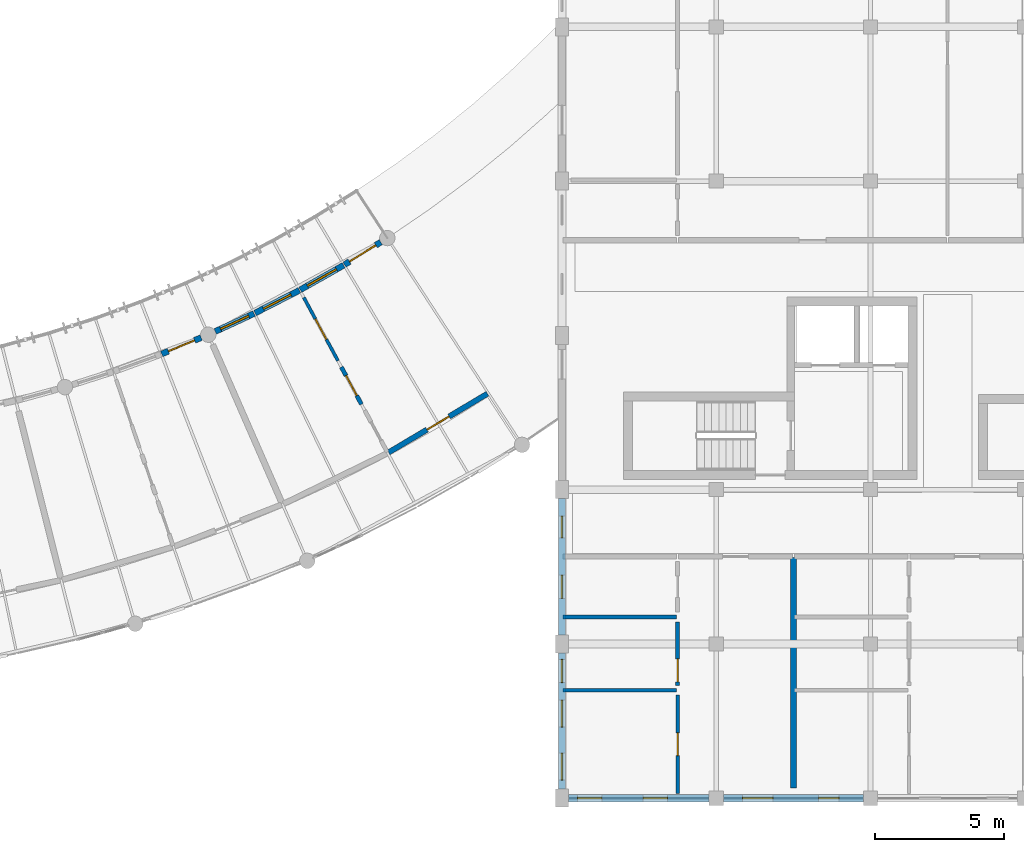
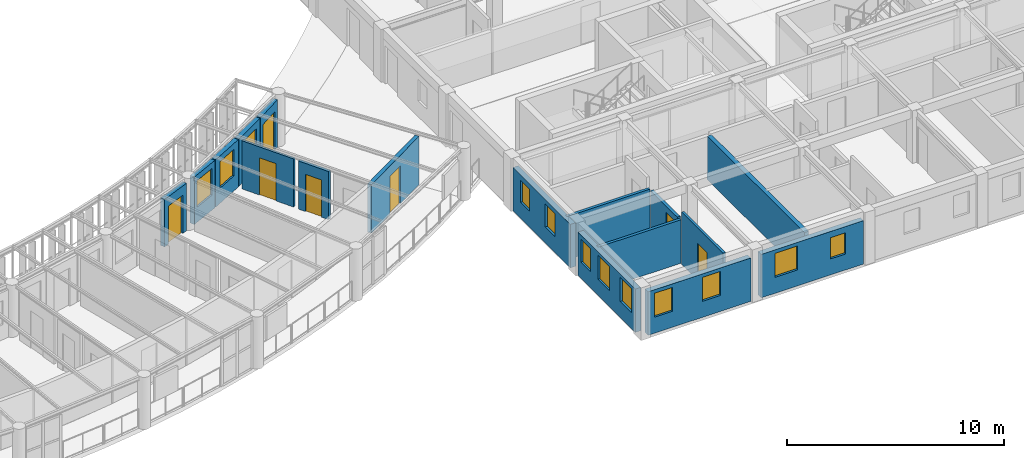
# One storey, part 63 of 101: 17 walls, 12 windows, 7 doors, 19 openings.
"""IFC4 building model written with IfcOpenShell, lengths in metres."""

from ifc_helpers import new_model, si_unit, direction, frame, frame_2d, origin, place, context, subcontext, project, spatial, rectangle, extrude, material, layer, layer_set, type_object, element, fill, save


model = new_model("IFC4")

# Units and contexts
model_context = context("Model", 3, precision=1e-05, world=origin(), true_north=direction((0.0, 1.0)))
body_context = subcontext(model_context, "Body", "Model", "MODEL_VIEW")
ifc_project = project(units=[si_unit("LENGTHUNIT", "METRE"), si_unit("AREAUNIT", "SQUARE_METRE"), si_unit("VOLUMEUNIT", "CUBIC_METRE"), si_unit("PLANEANGLEUNIT", "RADIAN"), si_unit("MASSUNIT", "GRAM", prefix="KILO"), si_unit("POWERUNIT", "WATT"), si_unit("THERMODYNAMICTEMPERATUREUNIT", "KELVIN")], contexts=[model_context])

# Site, building, storey
site_placement = place(None, origin())
site = spatial("IfcSite", under=ifc_project, at=site_placement, CompositionType="ELEMENT")
building_placement = place(site_placement, origin())
building = spatial("IfcBuilding", under=site, at=building_placement, Name="Ruvembo Vaulted Housing Court", CompositionType="ELEMENT")
storey_placement = place(building_placement, frame((0.0, 0.0, 17.300048828125)))
storey = spatial("IfcBuildingStorey", under=building, at=storey_placement, Name="L05", CompositionType="ELEMENT", Elevation=17.300048828125)

# Wall, opening, door
ifc_material_1 = material(Name="Concrete Blockwork 210", Category="masonry")
ifc_layer_1 = layer(ifc_material_1, 0.2099609375, Name="Concrete Blockwork 210")
ifc_layer_set_1 = layer_set([ifc_layer_1], Name="Concrete Blockwork 210")
wall_type_1 = type_object("IfcWallType", Name="WL-CORR-210", PredefinedType="SOLIDWALL", material=ifc_layer_set_1)
wall_1_placement = place(storey_placement, frame((95.258056640625, 13.447265625, 0.0), z_axis=(0.0, 0.0, 1.0), x_axis=(0.859614290038, 0.510943511909, 0.0)))
wall_1 = element("IfcWall", 1, at=wall_1_placement, inside=storey, type_object=wall_type_1, Name="L05 Suite SC2-L05-U7 Entrance WL-INT-L05-01644", PredefinedType="SOLIDWALL", context=body_context, shape_type="SweptSolid", body=[
    extrude(rectangle(XDim=4.472900390625, YDim=0.2099609375, at=frame_2d((2.236328125, 0.0))), origin(), (0.0, 0.0, 1.0), 2.73388671875),
])
opening_1_placement = place(wall_1_placement, frame((1.736572265625, 0.0, 0.0)))
opening_1 = element("IfcOpeningElement", 2, at=opening_1_placement, cuts=wall_1, Name="Opening FD1", PredefinedType="OPENING", context=body_context, shape_type="SweptSolid", body=[
    extrude(rectangle(XDim=1.0, YDim=2.14990234375, at=frame_2d((0.5, 1.074951171875))), frame((0.0, 0.114990234375, 0.0), z_axis=(0.0, -1.0, 0.0), x_axis=(1.0, 0.0, 0.0)), (0.0, 0.0, 1.0), 0.22998046875),
])
ifc_material_2 = material(Name="FSC Hardwood and Engineered Timber", Category="wood")
door_type_1 = type_object("IfcDoorType", Name="DR-FLAT-1000x2150", OperationType="NOTDEFINED", PredefinedType="DOOR", material=ifc_material_2)
door_1_placement = place(opening_1_placement, origin())
door_1 = element("IfcDoor", 3, at=door_1_placement, inside=storey, type_object=door_type_1, Name="L05 Suite SC2-L05-U7 Entrance Door DR-INT-L05-00927", OperationType="SINGLE_SWING_LEFT", OverallHeight=2.14990234375, OverallWidth=1.0, PredefinedType="DOOR", context=body_context, shape_type="SweptSolid", body=[
    extrude(rectangle(XDim=1.0, YDim=2.14990234375, at=frame_2d((0.5, 1.074951171875))), frame((0.0, 0.02490234375, 0.0), z_axis=(0.0, -1.0, 0.0), x_axis=(1.0, 0.0, 0.0)), (0.0, 0.0, 1.0), 0.050048828125),
])
fill(opening_1, door_1)

# Wall
ifc_material_3 = material(Name="Acoustic Masonry Demising 230", Category="masonry")
ifc_layer_2 = layer(ifc_material_3, 0.22998046875, Name="Acoustic Masonry Demising 230")
ifc_layer_set_2 = layer_set([ifc_layer_2], Name="Acoustic Masonry Demising 230")
wall_type_2 = type_object("IfcWallType", Name="WL-DEM-230", PredefinedType="SOLIDWALL", material=ifc_layer_set_2)
wall_2_placement = place(storey_placement, frame((111.0, 0.389892578125, 0.0), z_axis=(0.0, 0.0, 1.0), x_axis=(0.0, 1.0, 0.0)))
element("IfcWall", 4, at=wall_2_placement, inside=storey, type_object=wall_type_2, Name="L05 Demising C-L05-S1 WL-INT-L05-01484", PredefinedType="SOLIDWALL", context=body_context, shape_type="SweptSolid", body=[
    extrude(rectangle(XDim=8.97021484375, YDim=0.22998046875, at=frame_2d((4.485107421875, 0.0))), origin(), (0.0, 0.0, 1.0), 2.447021484375),
])

# Wall, opening, door
ifc_material_4 = material(Name="Rendered Masonry 235", Category="masonry")
ifc_layer_3 = layer(ifc_material_4, 0.235107421875, Name="Rendered Masonry 235")
ifc_layer_set_3 = layer_set([ifc_layer_3], Name="Rendered Masonry 235")
wall_type_3 = type_object("IfcWallType", Name="WL-EXT-235", PredefinedType="STANDARD", material=ifc_layer_set_3)
wall_3_placement = place(storey_placement, frame((86.433349609375, 17.278076171875, 0.0), z_axis=(0.0, 0.0, 1.0), x_axis=(0.924165494985, 0.38199232699, 0.0)))
wall_3 = element("IfcWall", 5, at=wall_3_placement, inside=storey, type_object=wall_type_3, Name="Scoop SC2 L05 Concave Balcony Wall 23", PredefinedType="STANDARD", context=body_context, shape_type="SweptSolid", body=[
    extrude(rectangle(XDim=1.659912109375, YDim=0.235107421875, at=frame_2d((0.830078125, 0.0))), origin(), (0.0, 0.0, 1.0), 2.676025390625),
])
opening_2_placement = place(wall_3_placement, frame((0.280029296875, 0.0, 0.0)))
opening_2 = element("IfcOpeningElement", 6, at=opening_2_placement, cuts=wall_3, Name="Opening BD3", PredefinedType="OPENING", context=body_context, shape_type="SweptSolid", body=[
    extrude(rectangle(XDim=1.10009765625, YDim=2.14990234375, at=frame_2d((0.550048828125, 1.074951171875))), frame((0.0, 0.12744140625, 0.0), z_axis=(0.0, -1.0, 0.0), x_axis=(1.0, 0.0, 0.0)), (0.0, 0.0, 1.0), 0.255126953125),
])
ifc_material_5 = material(Name="Thermally Broken Glazed Aluminium", Category="aluminium")
door_type_2 = type_object("IfcDoorType", Name="DR-BAL-1100x2150", OperationType="NOTDEFINED", PredefinedType="DOOR", material=ifc_material_5)
door_2_placement = place(opening_2_placement, origin())
door_2 = element("IfcDoor", 7, at=door_2_placement, inside=storey, type_object=door_type_2, Name="Scoop SC2 L05 Balcony Door 23", OperationType="SINGLE_SWING_LEFT", OverallHeight=2.14990234375, OverallWidth=1.10009765625, PredefinedType="DOOR", context=body_context, shape_type="SweptSolid", body=[
    extrude(rectangle(XDim=1.10009765625, YDim=2.14990234375, at=frame_2d((0.550048828125, 1.074951171875))), frame((0.0, 0.02490234375, 0.0), z_axis=(0.0, -1.0, 0.0), x_axis=(1.0, 0.0, 0.0)), (0.0, 0.0, 1.0), 0.050048828125),
])
fill(opening_2, door_2)

# Wall, opening, window
wall_4_placement = place(storey_placement, frame((88.51708984375, 18.152587890625, 0.0), z_axis=(0.0, 0.0, 1.0), x_axis=(0.907575902742, 0.419888057418, 0.0)))
wall_4 = element("IfcWall", 8, at=wall_4_placement, inside=storey, type_object=wall_type_3, Name="Scoop SC2 L05 Concave Balcony Wall 24", PredefinedType="STANDARD", context=body_context, shape_type="SweptSolid", body=[
    extrude(rectangle(XDim=1.659912109375, YDim=0.235107421875, at=frame_2d((0.830078125, 0.0))), origin(), (0.0, 0.0, 1.0), 2.676025390625),
])
opening_3_placement = place(wall_4_placement, frame((0.22998046875, 0.0, 0.85009765625)))
opening_3 = element("IfcOpeningElement", 9, at=opening_3_placement, cuts=wall_4, Name="Opening W14", PredefinedType="OPENING", context=body_context, shape_type="SweptSolid", body=[
    extrude(rectangle(XDim=1.199951171875, YDim=1.5, at=frame_2d((0.60009765625, 0.75))), frame((0.0, 0.12744140625, 0.0), z_axis=(0.0, -1.0, 0.0), x_axis=(1.0, 0.0, 0.0)), (0.0, 0.0, 1.0), 0.255126953125),
])
ifc_material_6 = material(Name="Double Solar-Control Glazing in Aluminium Frame", Category="aluminium")
window_type_1 = type_object("IfcWindowType", Name="WIN-1200x1500", PartitioningType="SINGLE_PANEL", PredefinedType="WINDOW", material=ifc_material_6)
window_1_placement = place(opening_3_placement, origin())
window_1 = element("IfcWindow", 10, at=window_1_placement, inside=storey, type_object=window_type_1, Name="Scoop SC2 L05 Concave Window 24", OverallHeight=1.5, OverallWidth=1.199951171875, PartitioningType="SINGLE_PANEL", PredefinedType="WINDOW", context=body_context, shape_type="SweptSolid", body=[
    extrude(rectangle(XDim=1.199951171875, YDim=1.5, at=frame_2d((0.60009765625, 0.75))), frame((0.0, 0.030029296875, 0.0), z_axis=(0.0, -1.0, 0.0), x_axis=(1.0, 0.0, 0.0)), (0.0, 0.0, 1.0), 0.06005859375),
])
fill(opening_3, window_1)

wall_5_placement = place(storey_placement, frame((90.0595703125, 18.866943359375, 0.0), z_axis=(0.0, 0.0, 1.0), x_axis=(0.889517261343, 0.456901566832, 0.0)))
wall_5 = element("IfcWall", 11, at=wall_5_placement, inside=storey, type_object=wall_type_3, Name="Scoop SC2 L05 Concave Balcony Wall 25", PredefinedType="STANDARD", context=body_context, shape_type="SweptSolid", body=[
    extrude(rectangle(XDim=1.940185546875, YDim=0.235107421875, at=frame_2d((0.97021484375, 0.0))), origin(), (0.0, 0.0, 1.0), 2.676025390625),
])
opening_4_placement = place(wall_5_placement, frame((0.3701171875, 0.0, 0.85009765625)))
opening_4 = element("IfcOpeningElement", 12, at=opening_4_placement, cuts=wall_5, Name="Opening W14", PredefinedType="OPENING", context=body_context, shape_type="SweptSolid", body=[
    extrude(rectangle(XDim=1.199951171875, YDim=1.5, at=frame_2d((0.60009765625, 0.75))), frame((0.0, 0.12744140625, 0.0), z_axis=(0.0, -1.0, 0.0), x_axis=(1.0, 0.0, 0.0)), (0.0, 0.0, 1.0), 0.255126953125),
])
window_2_placement = place(opening_4_placement, origin())
window_2 = element("IfcWindow", 13, at=window_2_placement, inside=storey, type_object=window_type_1, Name="Scoop SC2 L05 Concave Window 25", OverallHeight=1.5, OverallWidth=1.199951171875, PartitioningType="SINGLE_PANEL", PredefinedType="WINDOW", context=body_context, shape_type="SweptSolid", body=[
    extrude(rectangle(XDim=1.199951171875, YDim=1.5, at=frame_2d((0.60009765625, 0.75))), frame((0.0, 0.030029296875, 0.0), z_axis=(0.0, -1.0, 0.0), x_axis=(1.0, 0.0, 0.0)), (0.0, 0.0, 1.0), 0.06005859375),
])
fill(opening_4, window_2)

wall_6_placement = place(storey_placement, frame((91.820556640625, 19.772216796875, 0.0), z_axis=(0.0, 0.0, 1.0), x_axis=(0.86993400964, 0.493168144623, 0.0)))
wall_6 = element("IfcWall", 14, at=wall_6_placement, inside=storey, type_object=wall_type_3, Name="Scoop SC2 L05 Concave Balcony Wall 26", PredefinedType="STANDARD", context=body_context, shape_type="SweptSolid", body=[
    extrude(rectangle(XDim=1.940185546875, YDim=0.235107421875, at=frame_2d((0.97021484375, 0.0))), origin(), (0.0, 0.0, 1.0), 2.676025390625),
])
opening_5_placement = place(wall_6_placement, frame((0.320068359375, 0.0, 0.85009765625)))
opening_5 = element("IfcOpeningElement", 15, at=opening_5_placement, cuts=wall_6, Name="Opening W15", PredefinedType="OPENING", context=body_context, shape_type="SweptSolid", body=[
    extrude(rectangle(XDim=1.300048828125, YDim=1.449951171875, at=frame_2d((0.64990234375, 0.72509765625))), frame((0.0, 0.12744140625, 0.0), z_axis=(0.0, -1.0, 0.0), x_axis=(1.0, 0.0, 0.0)), (0.0, 0.0, 1.0), 0.255126953125),
])
window_type_2 = type_object("IfcWindowType", Name="WIN-1300x1450", PartitioningType="SINGLE_PANEL", PredefinedType="WINDOW", material=ifc_material_6)
window_3_placement = place(opening_5_placement, origin())
window_3 = element("IfcWindow", 16, at=window_3_placement, inside=storey, type_object=window_type_2, Name="Scoop SC2 L05 Concave Window 26", OverallHeight=1.449951171875, OverallWidth=1.300048828125, PartitioningType="SINGLE_PANEL", PredefinedType="WINDOW", context=body_context, shape_type="SweptSolid", body=[
    extrude(rectangle(XDim=1.300048828125, YDim=1.449951171875, at=frame_2d((0.64990234375, 0.72509765625))), frame((0.0, 0.030029296875, 0.0), z_axis=(0.0, -1.0, 0.0), x_axis=(1.0, 0.0, 0.0)), (0.0, 0.0, 1.0), 0.06005859375),
])
fill(opening_5, window_3)

# Wall, opening, door
wall_7_placement = place(storey_placement, frame((93.542724609375, 20.74951171875, 0.0), z_axis=(0.0, 0.0, 1.0), x_axis=(0.848955427013, 0.528464457598, 0.0)))
wall_7 = element("IfcWall", 17, at=wall_7_placement, inside=storey, type_object=wall_type_3, Name="Scoop SC2 L05 Concave Balcony Wall 27", PredefinedType="STANDARD", context=body_context, shape_type="SweptSolid", body=[
    extrude(rectangle(XDim=1.659912109375, YDim=0.235107421875, at=frame_2d((0.830078125, 0.0))), origin(), (0.0, 0.0, 1.0), 2.676025390625),
])
opening_6_placement = place(wall_7_placement, frame((0.22998046875, 0.0, 0.0)))
opening_6 = element("IfcOpeningElement", 18, at=opening_6_placement, cuts=wall_7, Name="Opening BD2", PredefinedType="OPENING", context=body_context, shape_type="SweptSolid", body=[
    extrude(rectangle(XDim=1.199951171875, YDim=2.14990234375, at=frame_2d((0.60009765625, 1.074951171875))), frame((0.0, 0.12744140625, 0.0), z_axis=(0.0, -1.0, 0.0), x_axis=(1.0, 0.0, 0.0)), (0.0, 0.0, 1.0), 0.255126953125),
])
door_type_3 = type_object("IfcDoorType", Name="DR-BAL-1200x2150", OperationType="NOTDEFINED", PredefinedType="DOOR", material=ifc_material_5)
door_3_placement = place(opening_6_placement, origin())
door_3 = element("IfcDoor", 19, at=door_3_placement, inside=storey, type_object=door_type_3, Name="Scoop SC2 L05 Balcony Door 27", OperationType="SINGLE_SWING_RIGHT", OverallHeight=2.14990234375, OverallWidth=1.199951171875, PredefinedType="DOOR", context=body_context, shape_type="SweptSolid", body=[
    extrude(rectangle(XDim=1.199951171875, YDim=2.14990234375, at=frame_2d((0.60009765625, 1.074951171875))), frame((0.0, 0.02490234375, 0.0), z_axis=(0.0, -1.0, 0.0), x_axis=(1.0, 0.0, 0.0)), (0.0, 0.0, 1.0), 0.050048828125),
])
fill(opening_6, door_3)

# Wall, openings, windows
ifc_material_7 = material(Name="Rendered Masonry 285", Category="masonry")
ifc_layer_4 = layer(ifc_material_7, 0.284912109375, Name="Rendered Masonry 285")
ifc_layer_set_4 = layer_set([ifc_layer_4], Name="Rendered Masonry 285")
wall_type_4 = type_object("IfcWallType", Name="WL-EXT-285", PredefinedType="STANDARD", material=ifc_layer_set_4)
wall_8_placement = place(storey_placement, frame((102.25, 0.0, 0.0), z_axis=(0.0, 0.0, 1.0), x_axis=(1.0, 0.0, 0.0)))
wall_8 = element("IfcWall", 20, at=wall_8_placement, inside=storey, type_object=wall_type_4, Name="Block C L05 Exterior Wall STREET #1", PredefinedType="STANDARD", context=body_context, shape_type="SweptSolid", body=[
    extrude(rectangle(XDim=5.47509765625, YDim=0.284912109375, at=frame_2d((2.737548828125, 0.0))), origin(), (0.0, 0.0, 1.0), 2.447021484375),
])
opening_7_placement = place(wall_8_placement, frame((0.35009765625, 0.0, 0.89990234375)))
opening_7 = element("IfcOpeningElement", 21, at=opening_7_placement, cuts=wall_8, Name="Opening W07", PredefinedType="OPENING", context=body_context, shape_type="SweptSolid", body=[
    extrude(rectangle(XDim=0.949951171875, YDim=1.35009765625, at=frame_2d((0.47509765625, 0.675048828125))), frame((0.0, 0.15234375, 0.0), z_axis=(0.0, -1.0, 0.0), x_axis=(1.0, 0.0, 0.0)), (0.0, 0.0, 1.0), 0.304931640625),
])
opening_8_placement = place(wall_8_placement, frame((2.909912109375, 0.0, 0.89990234375)))
opening_8 = element("IfcOpeningElement", 22, at=opening_8_placement, cuts=wall_8, Name="Opening W07", PredefinedType="OPENING", context=body_context, shape_type="SweptSolid", body=[
    extrude(rectangle(XDim=0.949951171875, YDim=1.35009765625, at=frame_2d((0.47509765625, 0.675048828125))), frame((0.0, 0.15234375, 0.0), z_axis=(0.0, -1.0, 0.0), x_axis=(1.0, 0.0, 0.0)), (0.0, 0.0, 1.0), 0.304931640625),
])
window_type_3 = type_object("IfcWindowType", Name="WIN-0950x1350", PartitioningType="SINGLE_PANEL", PredefinedType="WINDOW", material=ifc_material_6)
window_4_placement = place(opening_7_placement, origin())
window_4 = element("IfcWindow", 23, at=window_4_placement, inside=storey, type_object=window_type_3, Name="Block C L05 Window #1281", OverallHeight=1.35009765625, OverallWidth=0.949951171875, PartitioningType="SINGLE_PANEL", PredefinedType="WINDOW", context=body_context, shape_type="SweptSolid", body=[
    extrude(rectangle(XDim=0.949951171875, YDim=1.35009765625, at=frame_2d((0.47509765625, 0.675048828125))), frame((0.0, 0.030029296875, 0.0), z_axis=(0.0, -1.0, 0.0), x_axis=(1.0, 0.0, 0.0)), (0.0, 0.0, 1.0), 0.06005859375),
])
fill(opening_7, window_4)
window_5_placement = place(opening_8_placement, origin())
window_5 = element("IfcWindow", 24, at=window_5_placement, inside=storey, type_object=window_type_3, Name="Block C L05 Window #1282", OverallHeight=1.35009765625, OverallWidth=0.949951171875, PartitioningType="SINGLE_PANEL", PredefinedType="WINDOW", context=body_context, shape_type="SweptSolid", body=[
    extrude(rectangle(XDim=0.949951171875, YDim=1.35009765625, at=frame_2d((0.47509765625, 0.675048828125))), frame((0.0, 0.030029296875, 0.0), z_axis=(0.0, -1.0, 0.0), x_axis=(1.0, 0.0, 0.0)), (0.0, 0.0, 1.0), 0.06005859375),
])
fill(opening_8, window_5)

wall_9_placement = place(storey_placement, frame((108.27490234375, 0.0, 0.0), z_axis=(0.0, 0.0, 1.0), x_axis=(1.0, 0.0, 0.0)))
wall_9 = element("IfcWall", 25, at=wall_9_placement, inside=storey, type_object=wall_type_4, Name="Block C L05 Exterior Wall STREET #2", PredefinedType="STANDARD", context=body_context, shape_type="SweptSolid", body=[
    extrude(rectangle(XDim=5.4501953125, YDim=0.284912109375, at=frame_2d((2.72509765625, 0.0))), origin(), (0.0, 0.0, 1.0), 2.447021484375),
])
opening_9_placement = place(wall_9_placement, frame((0.742431640625, 0.0, 0.89990234375)))
opening_9 = element("IfcOpeningElement", 26, at=opening_9_placement, cuts=wall_9, Name="Opening W12", PredefinedType="OPENING", context=body_context, shape_type="SweptSolid", body=[
    extrude(rectangle(XDim=1.199951171875, YDim=1.35009765625, at=frame_2d((0.60009765625, 0.675048828125))), frame((0.0, 0.15234375, 0.0), z_axis=(0.0, -1.0, 0.0), x_axis=(1.0, 0.0, 0.0)), (0.0, 0.0, 1.0), 0.304931640625),
])
opening_10_placement = place(wall_9_placement, frame((3.70751953125, 0.0, 0.89990234375)))
opening_10 = element("IfcOpeningElement", 27, at=opening_10_placement, cuts=wall_9, Name="Opening W02", PredefinedType="OPENING", context=body_context, shape_type="SweptSolid", body=[
    extrude(rectangle(XDim=0.800048828125, YDim=1.199951171875, at=frame_2d((0.39990234375, 0.60009765625))), frame((0.0, 0.15234375, 0.0), z_axis=(0.0, -1.0, 0.0), x_axis=(1.0, 0.0, 0.0)), (0.0, 0.0, 1.0), 0.304931640625),
])
window_type_4 = type_object("IfcWindowType", Name="WIN-0800x1200", PartitioningType="SINGLE_PANEL", PredefinedType="WINDOW", material=ifc_material_6)
window_6_placement = place(opening_10_placement, origin())
window_6 = element("IfcWindow", 28, at=window_6_placement, inside=storey, type_object=window_type_4, Name="Block C L05 Window #1284", OverallHeight=1.199951171875, OverallWidth=0.800048828125, PartitioningType="SINGLE_PANEL", PredefinedType="WINDOW", context=body_context, shape_type="SweptSolid", body=[
    extrude(rectangle(XDim=0.800048828125, YDim=1.199951171875, at=frame_2d((0.39990234375, 0.60009765625))), frame((0.0, 0.030029296875, 0.0), z_axis=(0.0, -1.0, 0.0), x_axis=(1.0, 0.0, 0.0)), (0.0, 0.0, 1.0), 0.06005859375),
])
fill(opening_10, window_6)
window_type_5 = type_object("IfcWindowType", Name="WIN-1200x1350", PartitioningType="SINGLE_PANEL", PredefinedType="WINDOW", material=ifc_material_6)
window_7_placement = place(opening_9_placement, origin())
window_7 = element("IfcWindow", 29, at=window_7_placement, inside=storey, type_object=window_type_5, Name="Block C L05 Window #1283", OverallHeight=1.35009765625, OverallWidth=1.199951171875, PartitioningType="SINGLE_PANEL", PredefinedType="WINDOW", context=body_context, shape_type="SweptSolid", body=[
    extrude(rectangle(XDim=1.199951171875, YDim=1.35009765625, at=frame_2d((0.60009765625, 0.675048828125))), frame((0.0, 0.030029296875, 0.0), z_axis=(0.0, -1.0, 0.0), x_axis=(1.0, 0.0, 0.0)), (0.0, 0.0, 1.0), 0.06005859375),
])
fill(opening_9, window_7)

wall_10_placement = place(storey_placement, frame((102.0, 11.64990234375, 0.0), z_axis=(0.0, 0.0, 1.0), x_axis=(0.0, -1.0, 0.0)))
wall_10 = element("IfcWall", 30, at=wall_10_placement, inside=storey, type_object=wall_type_4, Name="Block C L05 Exterior Wall WEST #5", PredefinedType="STANDARD", context=body_context, shape_type="SweptSolid", body=[
    extrude(rectangle(XDim=5.2998046875, YDim=0.284912109375, at=frame_2d((2.64990234375, 0.0))), origin(), (0.0, 0.0, 1.0), 2.447021484375),
])
opening_11_placement = place(wall_10_placement, frame((0.679931640625, 0.0, 0.89990234375)))
opening_11 = element("IfcOpeningElement", 31, at=opening_11_placement, cuts=wall_10, Name="Opening W03", PredefinedType="OPENING", context=body_context, shape_type="SweptSolid", body=[
    extrude(rectangle(XDim=0.85009765625, YDim=1.25, at=frame_2d((0.425048828125, 0.625))), frame((0.0, 0.15234375, 0.0), z_axis=(0.0, -1.0, 0.0), x_axis=(1.0, 0.0, 0.0)), (0.0, 0.0, 1.0), 0.304931640625),
])
opening_12_placement = place(wall_10_placement, frame((2.97509765625, 0.0, 0.89990234375)))
opening_12 = element("IfcOpeningElement", 32, at=opening_12_placement, cuts=wall_10, Name="Opening W04", PredefinedType="OPENING", context=body_context, shape_type="SweptSolid", body=[
    extrude(rectangle(XDim=0.89990234375, YDim=1.300048828125, at=frame_2d((0.449951171875, 0.64990234375))), frame((0.0, 0.15234375, 0.0), z_axis=(0.0, -1.0, 0.0), x_axis=(1.0, 0.0, 0.0)), (0.0, 0.0, 1.0), 0.304931640625),
])
window_type_6 = type_object("IfcWindowType", Name="WIN-0850x1250", PartitioningType="SINGLE_PANEL", PredefinedType="WINDOW", material=ifc_material_6)
window_8_placement = place(opening_11_placement, origin())
window_8 = element("IfcWindow", 33, at=window_8_placement, inside=storey, type_object=window_type_6, Name="Block C L05 Window #1321", OverallHeight=1.25, OverallWidth=0.85009765625, PartitioningType="SINGLE_PANEL", PredefinedType="WINDOW", context=body_context, shape_type="SweptSolid", body=[
    extrude(rectangle(XDim=0.85009765625, YDim=1.25, at=frame_2d((0.425048828125, 0.625))), frame((0.0, 0.030029296875, 0.0), z_axis=(0.0, -1.0, 0.0), x_axis=(1.0, 0.0, 0.0)), (0.0, 0.0, 1.0), 0.06005859375),
])
fill(opening_11, window_8)
window_type_7 = type_object("IfcWindowType", Name="WIN-0900x1300", PartitioningType="SINGLE_PANEL", PredefinedType="WINDOW", material=ifc_material_6)
window_9_placement = place(opening_12_placement, origin())
window_9 = element("IfcWindow", 34, at=window_9_placement, inside=storey, type_object=window_type_7, Name="Block C L05 Window #1322", OverallHeight=1.300048828125, OverallWidth=0.89990234375, PartitioningType="SINGLE_PANEL", PredefinedType="WINDOW", context=body_context, shape_type="SweptSolid", body=[
    extrude(rectangle(XDim=0.89990234375, YDim=1.300048828125, at=frame_2d((0.449951171875, 0.64990234375))), frame((0.0, 0.030029296875, 0.0), z_axis=(0.0, -1.0, 0.0), x_axis=(1.0, 0.0, 0.0)), (0.0, 0.0, 1.0), 0.06005859375),
])
fill(opening_12, window_9)

wall_11_placement = place(storey_placement, frame((102.0, 5.64990234375, 0.0), z_axis=(0.0, 0.0, 1.0), x_axis=(0.0, -1.0, 0.0)))
wall_11 = element("IfcWall", 35, at=wall_11_placement, inside=storey, type_object=wall_type_4, Name="Block C L05 Exterior Wall WEST #6", PredefinedType="STANDARD", context=body_context, shape_type="SweptSolid", body=[
    extrude(rectangle(XDim=5.2998046875, YDim=0.284912109375, at=frame_2d((2.64990234375, 0.0))), origin(), (0.0, 0.0, 1.0), 2.447021484375),
])
opening_13_placement = place(wall_11_placement, frame((0.2548828125, 0.0, 0.89990234375)))
opening_13 = element("IfcOpeningElement", 36, at=opening_13_placement, cuts=wall_11, Name="Opening W04", PredefinedType="OPENING", context=body_context, shape_type="SweptSolid", body=[
    extrude(rectangle(XDim=0.89990234375, YDim=1.300048828125, at=frame_2d((0.449951171875, 0.64990234375))), frame((0.0, 0.15234375, 0.0), z_axis=(0.0, -1.0, 0.0), x_axis=(1.0, 0.0, 0.0)), (0.0, 0.0, 1.0), 0.304931640625),
])
opening_14_placement = place(wall_11_placement, frame((1.840087890625, 0.0, 0.89990234375)))
opening_14 = element("IfcOpeningElement", 37, at=opening_14_placement, cuts=wall_11, Name="Opening W09", PredefinedType="OPENING", context=body_context, shape_type="SweptSolid", body=[
    extrude(rectangle(XDim=1.050048828125, YDim=1.35009765625, at=frame_2d((0.52490234375, 0.675048828125))), frame((0.0, 0.15234375, 0.0), z_axis=(0.0, -1.0, 0.0), x_axis=(1.0, 0.0, 0.0)), (0.0, 0.0, 1.0), 0.304931640625),
])
opening_15_placement = place(wall_11_placement, frame((3.89990234375, 0.0, 0.89990234375)))
opening_15 = element("IfcOpeningElement", 38, at=opening_15_placement, cuts=wall_11, Name="Opening W09", PredefinedType="OPENING", context=body_context, shape_type="SweptSolid", body=[
    extrude(rectangle(XDim=1.050048828125, YDim=1.35009765625, at=frame_2d((0.52490234375, 0.675048828125))), frame((0.0, 0.15234375, 0.0), z_axis=(0.0, -1.0, 0.0), x_axis=(1.0, 0.0, 0.0)), (0.0, 0.0, 1.0), 0.304931640625),
])
window_10_placement = place(opening_13_placement, origin())
window_10 = element("IfcWindow", 39, at=window_10_placement, inside=storey, type_object=window_type_7, Name="Block C L05 Window #1323", OverallHeight=1.300048828125, OverallWidth=0.89990234375, PartitioningType="SINGLE_PANEL", PredefinedType="WINDOW", context=body_context, shape_type="SweptSolid", body=[
    extrude(rectangle(XDim=0.89990234375, YDim=1.300048828125, at=frame_2d((0.449951171875, 0.64990234375))), frame((0.0, 0.030029296875, 0.0), z_axis=(0.0, -1.0, 0.0), x_axis=(1.0, 0.0, 0.0)), (0.0, 0.0, 1.0), 0.06005859375),
])
fill(opening_13, window_10)
window_type_8 = type_object("IfcWindowType", Name="WIN-1050x1350", PartitioningType="SINGLE_PANEL", PredefinedType="WINDOW", material=ifc_material_6)
window_11_placement = place(opening_14_placement, origin())
window_11 = element("IfcWindow", 40, at=window_11_placement, inside=storey, type_object=window_type_8, Name="Block C L05 Window #1324", OverallHeight=1.35009765625, OverallWidth=1.050048828125, PartitioningType="SINGLE_PANEL", PredefinedType="WINDOW", context=body_context, shape_type="SweptSolid", body=[
    extrude(rectangle(XDim=1.050048828125, YDim=1.35009765625, at=frame_2d((0.52490234375, 0.675048828125))), frame((0.0, 0.030029296875, 0.0), z_axis=(0.0, -1.0, 0.0), x_axis=(1.0, 0.0, 0.0)), (0.0, 0.0, 1.0), 0.06005859375),
])
fill(opening_14, window_11)
window_12_placement = place(opening_15_placement, origin())
window_12 = element("IfcWindow", 41, at=window_12_placement, inside=storey, type_object=window_type_8, Name="Block C L05 Window #1325", OverallHeight=1.35009765625, OverallWidth=1.050048828125, PartitioningType="SINGLE_PANEL", PredefinedType="WINDOW", context=body_context, shape_type="SweptSolid", body=[
    extrude(rectangle(XDim=1.050048828125, YDim=1.35009765625, at=frame_2d((0.52490234375, 0.675048828125))), frame((0.0, 0.030029296875, 0.0), z_axis=(0.0, -1.0, 0.0), x_axis=(1.0, 0.0, 0.0)), (0.0, 0.0, 1.0), 0.06005859375),
])
fill(opening_15, window_12)

# Wall, opening, door
ifc_material_8 = material(Name="Plasterboard Stud Partition 125", Category="gypsum")
ifc_layer_5 = layer(ifc_material_8, 0.125, Name="Plasterboard Stud Partition 125")
ifc_layer_set_5 = layer_set([ifc_layer_5], Name="Plasterboard Stud Partition 125")
wall_type_5 = type_object("IfcWallType", Name="WL-PART-125", PredefinedType="PARTITIONING", material=ifc_layer_set_5)
wall_12_placement = place(storey_placement, frame((106.5, 0.18994140625, 0.0), z_axis=(0.0, 0.0, 1.0), x_axis=(0.0, 1.0, 0.0)))
wall_12 = element("IfcWall", 42, at=wall_12_placement, inside=storey, type_object=wall_type_5, Name="L05 Flat C-L05-S1 Bedroom 1 WL-INT-L05-01487", PredefinedType="PARTITIONING", context=body_context, shape_type="SweptSolid", body=[
    extrude(rectangle(XDim=3.820068359375, YDim=0.125, at=frame_2d((1.91015625, 0.0))), origin(), (0.0, 0.0, 1.0), 2.96484375),
])
opening_16_placement = place(wall_12_placement, frame((1.469970703125, 0.0, 0.0)))
opening_16 = element("IfcOpeningElement", 43, at=opening_16_placement, cuts=wall_12, Name="Opening ID3", PredefinedType="OPENING", context=body_context, shape_type="SweptSolid", body=[
    extrude(rectangle(XDim=0.8798828125, YDim=2.10009765625, at=frame_2d((0.43994140625, 1.050048828125))), frame((0.0, 0.072509765625, 0.0), z_axis=(0.0, -1.0, 0.0), x_axis=(1.0, 0.0, 0.0)), (0.0, 0.0, 1.0), 0.14501953125),
])
door_type_4 = type_object("IfcDoorType", Name="DR-ROOM-0880x2100", OperationType="NOTDEFINED", PredefinedType="DOOR", material=ifc_material_2)
door_4_placement = place(opening_16_placement, origin())
door_4 = element("IfcDoor", 44, at=door_4_placement, inside=storey, type_object=door_type_4, Name="L05 Flat C-L05-S1 Bedroom 1 Door DR-INT-L05-00835", OperationType="SINGLE_SWING_LEFT", OverallHeight=2.10009765625, OverallWidth=0.8798828125, PredefinedType="DOOR", context=body_context, shape_type="SweptSolid", body=[
    extrude(rectangle(XDim=0.8798828125, YDim=2.10009765625, at=frame_2d((0.43994140625, 1.050048828125))), frame((0.0, 0.02490234375, 0.0), z_axis=(0.0, -1.0, 0.0), x_axis=(1.0, 0.0, 0.0)), (0.0, 0.0, 1.0), 0.050048828125),
])
fill(opening_16, door_4)

wall_13_placement = place(storey_placement, frame((91.958984375, 19.473876953125, 0.0), z_axis=(0.0, 0.0, 1.0), x_axis=(0.475103009949, -0.879930184695, 0.0)))
wall_13 = element("IfcWall", 45, at=wall_13_placement, inside=storey, type_object=wall_type_5, Name="L05 Suite SC2-L05-U7 Bedroom WL-INT-L05-01645", PredefinedType="PARTITIONING", context=body_context, shape_type="SweptSolid", body=[
    extrude(rectangle(XDim=2.800048828125, YDim=0.125, at=frame_2d((1.39990234375, 0.0))), origin(), (0.0, 0.0, 1.0), 2.7138671875),
])
opening_17_placement = place(wall_13_placement, frame((0.949951171875, 0.0, 0.0)))
opening_17 = element("IfcOpeningElement", 46, at=opening_17_placement, cuts=wall_13, Name="Opening ID1", PredefinedType="OPENING", context=body_context, shape_type="SweptSolid", body=[
    extrude(rectangle(XDim=0.89990234375, YDim=2.10009765625, at=frame_2d((0.449951171875, 1.050048828125))), frame((0.0, 0.072509765625, 0.0), z_axis=(0.0, -1.0, 0.0), x_axis=(1.0, 0.0, 0.0)), (0.0, 0.0, 1.0), 0.14501953125),
])
door_type_5 = type_object("IfcDoorType", Name="DR-ROOM-0900x2100", OperationType="NOTDEFINED", PredefinedType="DOOR", material=ifc_material_2)
door_5_placement = place(opening_17_placement, origin())
door_5 = element("IfcDoor", 47, at=door_5_placement, inside=storey, type_object=door_type_5, Name="L05 Suite SC2-L05-U7 Bedroom Door DR-INT-L05-00928", OperationType="SINGLE_SWING_RIGHT", OverallHeight=2.10009765625, OverallWidth=0.89990234375, PredefinedType="DOOR", context=body_context, shape_type="SweptSolid", body=[
    extrude(rectangle(XDim=0.89990234375, YDim=2.10009765625, at=frame_2d((0.449951171875, 1.050048828125))), frame((0.0, 0.02490234375, 0.0), z_axis=(0.0, -1.0, 0.0), x_axis=(1.0, 0.0, 0.0)), (0.0, 0.0, 1.0), 0.050048828125),
])
fill(opening_17, door_5)

# Walls
ifc_material_9 = material(Name="Moisture-Resistant Wet Partition 150", Category="gypsum")
ifc_layer_6 = layer(ifc_material_9, 0.14990234375, Name="Moisture-Resistant Wet Partition 150")
ifc_layer_set_6 = layer_set([ifc_layer_6], Name="Moisture-Resistant Wet Partition 150")
wall_type_6 = type_object("IfcWallType", Name="WL-PART-150", PredefinedType="PARTITIONING", material=ifc_layer_set_6)
for number, where, z_axis, x_axis, name in (
    (48, (102.0400390625, 4.199951171875, 0.0), (0.0, 0.0, 1.0), (1.0, 0.0, 0.0), "L05 Flat C-L05-S1 Wet Wall 1 WL-INT-L05-01490"),
    (49, (102.0400390625, 7.050048828125, 0.0), (0.0, 0.0, 1.0), (1.0, 0.0, 0.0), "L05 Flat C-L05-S1 Wet Wall 2 WL-INT-L05-01491"),
):
    element("IfcWall", number, at=place(storey_placement, frame(where, z_axis=z_axis, x_axis=x_axis)), inside=storey, type_object=wall_type_6, Name=name, PredefinedType="PARTITIONING", context=body_context, shape_type="SweptSolid", body=[
        extrude(rectangle(XDim=4.419921875, YDim=0.14990234375, at=frame_2d((2.2099609375, 0.0))), origin(), (0.0, 0.0, 1.0), 2.447021484375),
    ])

# Wall, opening, door
ifc_material_10 = material(Name="Acoustic Service Chase Wall 160", Category="gypsum")
ifc_layer_7 = layer(ifc_material_10, 0.159912109375, Name="Acoustic Service Chase Wall 160")
ifc_layer_set_7 = layer_set([ifc_layer_7], Name="Acoustic Service Chase Wall 160")
wall_type_7 = type_object("IfcWallType", Name="WL-PLUMB-160", PredefinedType="PLUMBINGWALL", material=ifc_layer_set_7)
wall_14_placement = place(storey_placement, frame((106.5, 4.389892578125, 0.0), z_axis=(0.0, 0.0, 1.0), x_axis=(0.0, 1.0, 0.0)))
wall_14 = element("IfcWall", 50, at=wall_14_placement, inside=storey, type_object=wall_type_7, Name="L05 Flat C-L05-S1 Kitchen WL-INT-L05-01488", PredefinedType="PLUMBINGWALL", context=body_context, shape_type="SweptSolid", body=[
    extrude(rectangle(XDim=2.47021484375, YDim=0.159912109375, at=frame_2d((1.235107421875, 0.0))), origin(), (0.0, 0.0, 1.0), 2.447021484375),
])
opening_18_placement = place(wall_14_placement, frame((0.1298828125, 0.0, 0.0)))
opening_18 = element("IfcOpeningElement", 51, at=opening_18_placement, cuts=wall_14, Name="Opening ID1", PredefinedType="OPENING", context=body_context, shape_type="SweptSolid", body=[
    extrude(rectangle(XDim=0.89990234375, YDim=2.10009765625, at=frame_2d((0.449951171875, 1.050048828125))), frame((0.0, 0.08984375, 0.0), z_axis=(0.0, -1.0, 0.0), x_axis=(1.0, 0.0, 0.0)), (0.0, 0.0, 1.0), 0.179931640625),
])
door_6_placement = place(opening_18_placement, origin())
door_6 = element("IfcDoor", 52, at=door_6_placement, inside=storey, type_object=door_type_5, Name="L05 Flat C-L05-S1 Kitchen Door DR-INT-L05-00836", OperationType="SINGLE_SWING_RIGHT", OverallHeight=2.10009765625, OverallWidth=0.89990234375, PredefinedType="DOOR", context=body_context, shape_type="SweptSolid", body=[
    extrude(rectangle(XDim=0.89990234375, YDim=2.10009765625, at=frame_2d((0.449951171875, 1.050048828125))), frame((0.0, 0.02490234375, 0.0), z_axis=(0.0, -1.0, 0.0), x_axis=(1.0, 0.0, 0.0)), (0.0, 0.0, 1.0), 0.050048828125),
])
fill(opening_18, door_6)

wall_15_placement = place(storey_placement, frame((93.41845703125, 16.7705078125, 0.0), z_axis=(0.0, 0.0, 1.0), x_axis=(0.475080097018, -0.879942555749, 0.0)))
wall_15 = element("IfcWall", 53, at=wall_15_placement, inside=storey, type_object=wall_type_7, Name="L05 Suite SC2-L05-U7 Kitchen WL-INT-L05-01646", PredefinedType="PLUMBINGWALL", context=body_context, shape_type="SweptSolid", body=[
    extrude(rectangle(XDim=1.64794921875, YDim=0.159912109375, at=frame_2d((0.823974609375, 0.0))), origin(), (0.0, 0.0, 1.0), 2.7138671875),
])
opening_19_placement = place(wall_15_placement, frame((0.384033203125, 0.0, 0.0)))
opening_19 = element("IfcOpeningElement", 54, at=opening_19_placement, cuts=wall_15, Name="Opening ID3", PredefinedType="OPENING", context=body_context, shape_type="SweptSolid", body=[
    extrude(rectangle(XDim=0.8798828125, YDim=2.10009765625, at=frame_2d((0.43994140625, 1.050048828125))), frame((0.0, 0.08984375, 0.0), z_axis=(0.0, -1.0, 0.0), x_axis=(1.0, 0.0, 0.0)), (0.0, 0.0, 1.0), 0.179931640625),
])
door_7_placement = place(opening_19_placement, origin())
door_7 = element("IfcDoor", 55, at=door_7_placement, inside=storey, type_object=door_type_4, Name="L05 Suite SC2-L05-U7 Kitchen Door DR-INT-L05-00929", OperationType="SINGLE_SWING_LEFT", OverallHeight=2.10009765625, OverallWidth=0.8798828125, PredefinedType="DOOR", context=body_context, shape_type="SweptSolid", body=[
    extrude(rectangle(XDim=0.8798828125, YDim=2.10009765625, at=frame_2d((0.43994140625, 1.050048828125))), frame((0.0, 0.02490234375, 0.0), z_axis=(0.0, -1.0, 0.0), x_axis=(1.0, 0.0, 0.0)), (0.0, 0.0, 1.0), 0.050048828125),
])
fill(opening_19, door_7)

save(model, "model.ifc")
